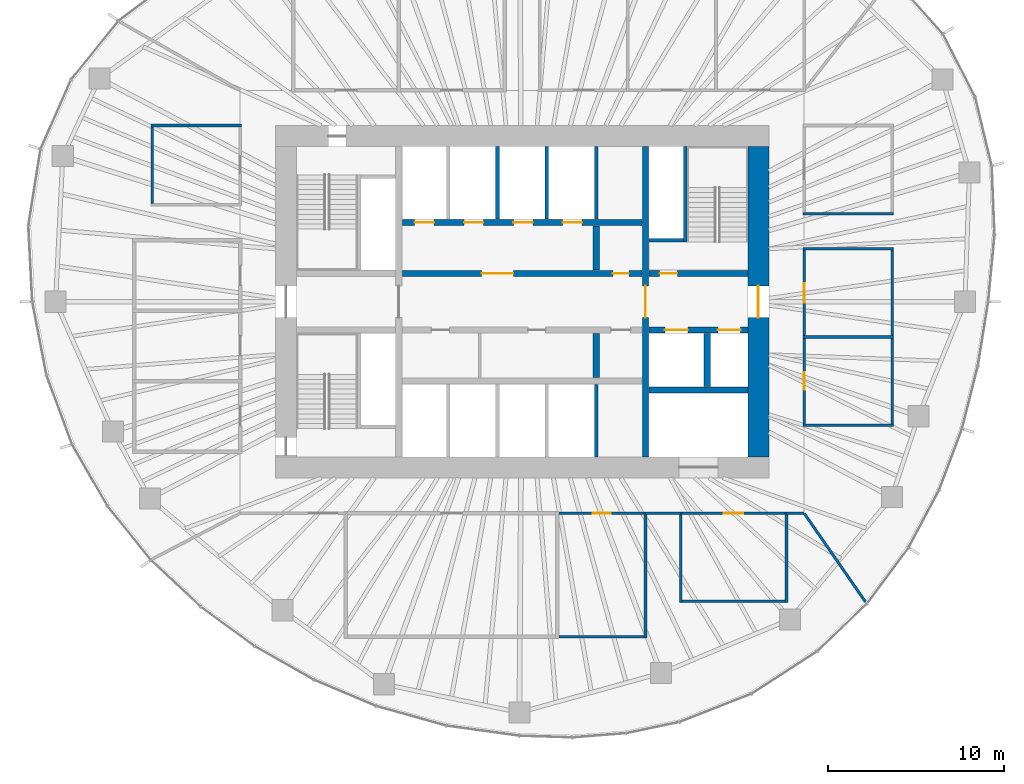
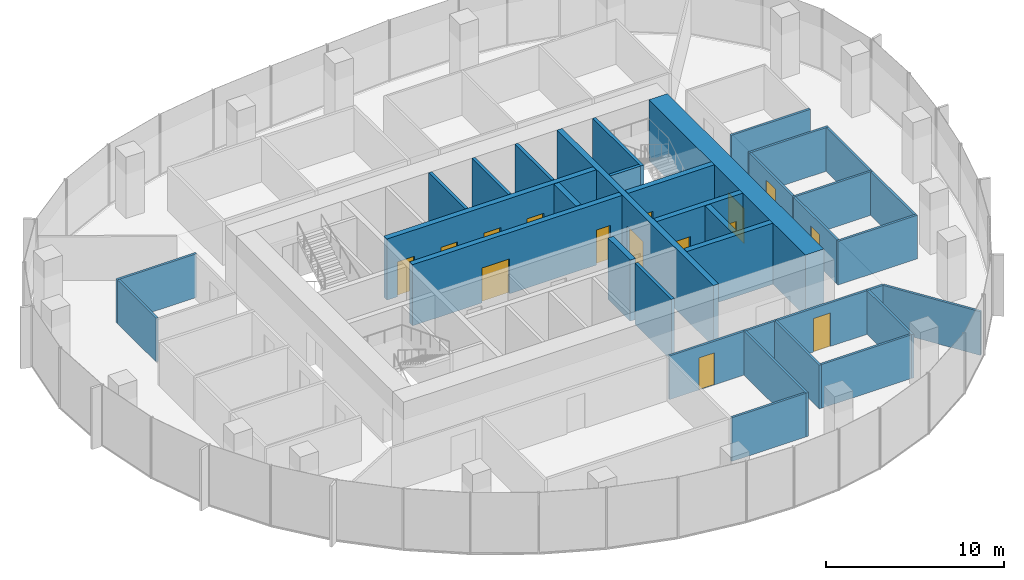
# One storey, part 9 of 11: 36 walls, 15 doors, 15 openings.
"""IFC4 building model written with IfcOpenShell, lengths in metres."""

from ifc_helpers import new_model, si_unit, direction, frame, frame_2d, origin, place, context, subcontext, project, spatial, rectangle, extrude, material, layer, layer_set, type_object, element, fill, save


model = new_model("IFC4")

# Units and contexts
model_context = context("Model", 3, precision=1e-05, world=origin(), true_north=direction((0.0, 1.0)))
body_context = subcontext(model_context, "Body", "Model", "MODEL_VIEW")
ifc_project = project(units=[si_unit("LENGTHUNIT", "METRE"), si_unit("AREAUNIT", "SQUARE_METRE"), si_unit("VOLUMEUNIT", "CUBIC_METRE"), si_unit("PLANEANGLEUNIT", "RADIAN"), si_unit("MASSUNIT", "GRAM", prefix="KILO")], contexts=[model_context])

# Site, building, storey
site_placement = place(None, origin())
site = spatial("IfcSite", under=ifc_project, at=site_placement, CompositionType="ELEMENT")
building_placement = place(site_placement, origin())
building = spatial("IfcBuilding", under=site, at=building_placement, Name="Ghaith Harvest Tower", CompositionType="ELEMENT")
storey_placement = place(building_placement, frame((0.0, 0.0, 241.0)))
storey = spatial("IfcBuildingStorey", under=building, at=storey_placement, Name="L53", CompositionType="ELEMENT", Elevation=241.0)

# Wall, opening, door
ifc_material_1 = material(Name="Concrete C60/75", Category="concrete")
ifc_layer_1 = layer(ifc_material_1, 1.199951171875)
ifc_layer_set_1 = layer_set([ifc_layer_1], Name="CORE WALL CW1200 C60")
wall_type_1 = type_object("IfcWallType", Name="CORE WALL CW1200 C60", PredefinedType="SHEAR", material=ifc_layer_set_1)
wall_1_placement = place(storey_placement, frame((13.39990234375, -8.800048828125, 0.0), z_axis=(0.0, 0.0, 1.0), x_axis=(0.0, 1.0, 0.0)))
wall_1 = element("IfcWall", 1, at=wall_1_placement, inside=storey, type_object=wall_type_1, Name="Core wall E L53", PredefinedType="SHEAR", context=body_context, shape_type="SweptSolid", body=[
    extrude(rectangle(XDim=17.60009765625, YDim=1.199951171875, at=frame_2d((8.800048828125, 0.0))), origin(), (0.0, 0.0, 1.0), 4.199951171875),
])
opening_1_placement = place(wall_1_placement, frame((7.89990234375, 0.0, 0.0)))
opening_1 = element("IfcOpeningElement", 2, at=opening_1_placement, cuts=wall_1, Name="Opening 53-002", PredefinedType="OPENING", context=body_context, shape_type="SweptSolid", body=[
    extrude(rectangle(XDim=1.800048828125, YDim=2.39990234375, at=frame_2d((0.89990234375, 1.199951171875))), frame((0.0, 0.60986328125, 0.0), z_axis=(0.0, -1.0, 0.0), x_axis=(1.0, 0.0, 0.0)), (0.0, 0.0, 1.0), 1.219970703125),
])
ifc_material_2 = material(Name="Steel fire door", Category="steel")
door_type_1 = type_object("IfcDoorType", Name="D4 FD90 PAIR 1800x2400", OperationType="DOUBLE_DOOR_SINGLE_SWING", PredefinedType="DOOR", material=ifc_material_2)
door_1_placement = place(opening_1_placement, origin())
door_1 = element("IfcDoor", 3, at=door_1_placement, inside=storey, type_object=door_type_1, Name="Fire-fighting lobby doors", OperationType="DOUBLE_DOOR_SINGLE_SWING", OverallHeight=2.39990234375, OverallWidth=1.800048828125, PredefinedType="DOOR", context=body_context, shape_type="SweptSolid", body=[
    extrude(rectangle(XDim=1.800048828125, YDim=2.39990234375, at=frame_2d((0.89990234375, 1.199951171875))), frame((0.0, 0.02490234375, 0.0), z_axis=(0.0, -1.0, 0.0), x_axis=(1.0, 0.0, 0.0)), (0.0, 0.0, 1.0), 0.050048828125),
])
fill(opening_1, door_1)

# Walls
ifc_material_3 = material(Name="Concrete blockwork, 2-hour", Category="masonry")
ifc_layer_2 = layer(ifc_material_3, 0.199951171875)
ifc_layer_set_2 = layer_set([ifc_layer_2], Name="LIFT SHAFT WALL 200")
wall_type_2 = type_object("IfcWallType", Name="LIFT SHAFT WALL 200", PredefinedType="PARTITIONING", material=ifc_layer_set_2)
for number, where, z_axis, x_axis, name in (
    (4, (-1.39990234375, 4.699951171875, 0.0), (0.0, 0.0, 1.0), (0.0, 1.0, 0.0), "Lift shaft wall L53"),
    (5, (1.39990234375, 4.699951171875, 0.0), (0.0, 0.0, 1.0), (0.0, 1.0, 0.0), "Lift shaft wall L53"),
    (6, (4.199951171875, 4.699951171875, 0.0), (0.0, 0.0, 1.0), (0.0, 1.0, 0.0), "Lift shaft wall L53"),
    (7, (4.199951171875, -4.699951171875, 0.0), (0.0, 0.0, 1.0), (0.0, -1.0, 0.0), "Lift shaft wall L53"),
):
    element("IfcWall", number, at=place(storey_placement, frame(where, z_axis=z_axis, x_axis=x_axis)), inside=storey, type_object=wall_type_2, Name=name, PredefinedType="PARTITIONING", context=body_context, shape_type="SweptSolid", body=[
        extrude(rectangle(XDim=4.10009765625, YDim=0.199951171875, at=frame_2d((2.050048828125, 0.0))), origin(), (0.0, 0.0, 1.0), 4.199951171875),
    ])
ifc_material_4 = material(Name="Gypsum board on steel studs", Category="steel")
ifc_layer_3 = layer(ifc_material_4, 0.14990234375)
ifc_layer_set_3 = layer_set([ifc_layer_3], Name="PARTITION 150")
wall_type_3 = type_object("IfcWallType", Name="PARTITION 150", PredefinedType="PARTITIONING", material=ifc_layer_set_3)
wall_2_placement = place(storey_placement, frame((7.0, -11.925048828125, 0.0), z_axis=(0.0, 0.0, 1.0), x_axis=(0.0, -1.0, 0.0)))
element("IfcWall", 8, at=wall_2_placement, inside=storey, type_object=wall_type_3, Name="Partition L53 row S1 cross wall 3", PredefinedType="PARTITIONING", context=body_context, shape_type="SweptSolid", body=[
    extrude(rectangle(XDim=7.14990234375, YDim=0.14990234375, at=frame_2d((3.574951171875, 0.0))), origin(), (0.0, 0.0, 1.0), 3.0),
])

# Wall, opening, door
wall_3_placement = place(storey_placement, frame((2.10009765625, -12.0, 0.0), z_axis=(0.0, 0.0, 1.0), x_axis=(1.0, 0.0, 0.0)))
wall_3 = element("IfcWall", 9, at=wall_3_placement, inside=storey, type_object=wall_type_3, Name="Partition L53-02", PredefinedType="PARTITIONING", context=body_context, shape_type="SweptSolid", body=[
    extrude(rectangle(XDim=4.824951171875, YDim=0.14990234375, at=frame_2d((2.41259765625, 0.0))), origin(), (0.0, 0.0, 1.0), 3.0),
])
opening_2_placement = place(wall_3_placement, frame((1.91259765625, 0.0, 0.0)))
opening_2 = element("IfcOpeningElement", 10, at=opening_2_placement, cuts=wall_3, Name="Opening 53-021", PredefinedType="OPENING", context=body_context, shape_type="SweptSolid", body=[
    extrude(rectangle(XDim=1.0, YDim=2.199951171875, at=frame_2d((0.5, 1.10009765625))), frame((0.0, 0.0849609375, 0.0), z_axis=(0.0, -1.0, 0.0), x_axis=(1.0, 0.0, 0.0)), (0.0, 0.0, 1.0), 0.169921875),
])
ifc_material_5 = material(Name="Timber door", Category="wood")
door_type_2 = type_object("IfcDoorType", Name="D1 SINGLE 1000x2200", OperationType="SINGLE_SWING_LEFT", PredefinedType="DOOR", material=ifc_material_5)
door_2_placement = place(opening_2_placement, origin())
door_2 = element("IfcDoor", 11, at=door_2_placement, inside=storey, type_object=door_type_2, Name="Store door", OperationType="SINGLE_SWING_LEFT", OverallHeight=2.199951171875, OverallWidth=1.0, PredefinedType="DOOR", context=body_context, shape_type="SweptSolid", body=[
    extrude(rectangle(XDim=1.0, YDim=2.199951171875, at=frame_2d((0.5, 1.10009765625))), frame((0.0, 0.02490234375, 0.0), z_axis=(0.0, -1.0, 0.0), x_axis=(1.0, 0.0, 0.0)), (0.0, 0.0, 1.0), 0.050048828125),
])
fill(opening_2, door_2)

# Walls
wall_4_placement = place(storey_placement, frame((2.10009765625, -19.0, 0.0), z_axis=(0.0, 0.0, 1.0), x_axis=(1.0, 0.0, 0.0)))
element("IfcWall", 12, at=wall_4_placement, inside=storey, type_object=wall_type_3, Name="Partition L53-02", PredefinedType="PARTITIONING", context=body_context, shape_type="SweptSolid", body=[
    extrude(rectangle(XDim=4.824951171875, YDim=0.14990234375, at=frame_2d((2.41259765625, 0.0))), origin(), (0.0, 0.0, 1.0), 3.0),
])
for number, where, z_axis, x_axis, name in (
    (13, (15.925048828125, -7.0, 0.0), (0.0, 0.0, 1.0), (1.0, 0.0, 0.0), "Partition L53 row E5 cross wall 1"),
    (14, (15.925048828125, -2.0, 0.0), (0.0, 0.0, 1.0), (1.0, 0.0, 0.0), "Partition L53 row E5 cross wall 2"),
    (15, (15.925048828125, 3.0, 0.0), (0.0, 0.0, 1.0), (1.0, 0.0, 0.0), "Partition L53 row E5 cross wall 3"),
):
    element("IfcWall", number, at=place(storey_placement, frame(where, z_axis=z_axis, x_axis=x_axis)), inside=storey, type_object=wall_type_3, Name=name, PredefinedType="PARTITIONING", context=body_context, shape_type="SweptSolid", body=[
        extrude(rectangle(XDim=5.14990234375, YDim=0.14990234375, at=frame_2d((2.574951171875, 0.0))), origin(), (0.0, 0.0, 1.0), 3.0),
    ])

# Wall, opening, door
wall_5_placement = place(storey_placement, frame((16.0, -6.925048828125, 0.0), z_axis=(0.0, 0.0, 1.0), x_axis=(0.0, 1.0, 0.0)))
wall_5 = element("IfcWall", 16, at=wall_5_placement, inside=storey, type_object=wall_type_3, Name="Partition L53-11", PredefinedType="PARTITIONING", context=body_context, shape_type="SweptSolid", body=[
    extrude(rectangle(XDim=4.85009765625, YDim=0.14990234375, at=frame_2d((2.425048828125, 0.0))), origin(), (0.0, 0.0, 1.0), 3.0),
])
opening_3_placement = place(wall_5_placement, frame((1.925048828125, 0.0, 0.0)))
opening_3 = element("IfcOpeningElement", 17, at=opening_3_placement, cuts=wall_5, Name="Opening 53-030", PredefinedType="OPENING", context=body_context, shape_type="SweptSolid", body=[
    extrude(rectangle(XDim=1.0, YDim=2.199951171875, at=frame_2d((0.5, 1.10009765625))), frame((0.0, 0.0849609375, 0.0), z_axis=(0.0, -1.0, 0.0), x_axis=(1.0, 0.0, 0.0)), (0.0, 0.0, 1.0), 0.169921875),
])
door_3_placement = place(opening_3_placement, origin())
door_3 = element("IfcDoor", 18, at=door_3_placement, inside=storey, type_object=door_type_2, Name="Pantry door", OperationType="SINGLE_SWING_LEFT", OverallHeight=2.199951171875, OverallWidth=1.0, PredefinedType="DOOR", context=body_context, shape_type="SweptSolid", body=[
    extrude(rectangle(XDim=1.0, YDim=2.199951171875, at=frame_2d((0.5, 1.10009765625))), frame((0.0, 0.02490234375, 0.0), z_axis=(0.0, -1.0, 0.0), x_axis=(1.0, 0.0, 0.0)), (0.0, 0.0, 1.0), 0.050048828125),
])
fill(opening_3, door_3)

# Wall
wall_6_placement = place(storey_placement, frame((21.0, -6.925048828125, 0.0), z_axis=(0.0, 0.0, 1.0), x_axis=(0.0, 1.0, 0.0)))
element("IfcWall", 19, at=wall_6_placement, inside=storey, type_object=wall_type_3, Name="Partition L53-11", PredefinedType="PARTITIONING", context=body_context, shape_type="SweptSolid", body=[
    extrude(rectangle(XDim=4.85009765625, YDim=0.14990234375, at=frame_2d((2.425048828125, 0.0))), origin(), (0.0, 0.0, 1.0), 3.0),
])

# Wall, opening, door
wall_7_placement = place(storey_placement, frame((16.0, -1.925048828125, 0.0), z_axis=(0.0, 0.0, 1.0), x_axis=(0.0, 1.0, 0.0)))
wall_7 = element("IfcWall", 20, at=wall_7_placement, inside=storey, type_object=wall_type_3, Name="Partition L53-12", PredefinedType="PARTITIONING", context=body_context, shape_type="SweptSolid", body=[
    extrude(rectangle(XDim=4.85009765625, YDim=0.14990234375, at=frame_2d((2.425048828125, 0.0))), origin(), (0.0, 0.0, 1.0), 3.0),
])
opening_4_placement = place(wall_7_placement, frame((1.875, 0.0, 0.0)))
opening_4 = element("IfcOpeningElement", 21, at=opening_4_placement, cuts=wall_7, Name="Opening 53-031", PredefinedType="OPENING", context=body_context, shape_type="SweptSolid", body=[
    extrude(rectangle(XDim=1.10009765625, YDim=2.300048828125, at=frame_2d((0.550048828125, 1.14990234375))), frame((0.0, 0.0849609375, 0.0), z_axis=(0.0, -1.0, 0.0), x_axis=(1.0, 0.0, 0.0)), (0.0, 0.0, 1.0), 0.169921875),
])
ifc_material_6 = material(Name="Timber-framed glazed door", Category="wood")
door_type_3 = type_object("IfcDoorType", Name="D12 GLAZED OFFICE 1100x2300", OperationType="SINGLE_SWING_LEFT", PredefinedType="DOOR", material=ifc_material_6)
door_4_placement = place(opening_4_placement, origin())
door_4 = element("IfcDoor", 22, at=door_4_placement, inside=storey, type_object=door_type_3, Name="Office door", OperationType="SINGLE_SWING_LEFT", OverallHeight=2.300048828125, OverallWidth=1.10009765625, PredefinedType="DOOR", context=body_context, shape_type="SweptSolid", body=[
    extrude(rectangle(XDim=1.10009765625, YDim=2.300048828125, at=frame_2d((0.550048828125, 1.14990234375))), frame((0.0, 0.02490234375, 0.0), z_axis=(0.0, -1.0, 0.0), x_axis=(1.0, 0.0, 0.0)), (0.0, 0.0, 1.0), 0.050048828125),
])
fill(opening_4, door_4)

# Walls
wall_8_placement = place(storey_placement, frame((21.0, -1.925048828125, 0.0), z_axis=(0.0, 0.0, 1.0), x_axis=(0.0, 1.0, 0.0)))
element("IfcWall", 23, at=wall_8_placement, inside=storey, type_object=wall_type_3, Name="Partition L53-12", PredefinedType="PARTITIONING", context=body_context, shape_type="SweptSolid", body=[
    extrude(rectangle(XDim=4.85009765625, YDim=0.14990234375, at=frame_2d((2.425048828125, 0.0))), origin(), (0.0, 0.0, 1.0), 3.0),
])
for number, where, z_axis, x_axis, name in (
    (24, (9.0, -11.925048828125, 0.0), (0.0, 0.0, 1.0), (0.0, -1.0, 0.0), "Partition L53 row S6 cross wall 1"),
    (25, (15.0, -11.925048828125, 0.0), (0.0, 0.0, 1.0), (0.0, -1.0, 0.0), "Partition L53 row S6 cross wall 2"),
):
    element("IfcWall", number, at=place(storey_placement, frame(where, z_axis=z_axis, x_axis=x_axis)), inside=storey, type_object=wall_type_3, Name=name, PredefinedType="PARTITIONING", context=body_context, shape_type="SweptSolid", body=[
        extrude(rectangle(XDim=5.14990234375, YDim=0.14990234375, at=frame_2d((2.574951171875, 0.0))), origin(), (0.0, 0.0, 1.0), 3.0),
    ])

# Wall, opening, door
wall_9_placement = place(storey_placement, frame((9.074951171875, -12.0, 0.0), z_axis=(0.0, 0.0, 1.0), x_axis=(1.0, 0.0, 0.0)))
wall_9 = element("IfcWall", 26, at=wall_9_placement, inside=storey, type_object=wall_type_3, Name="Partition L53-13", PredefinedType="PARTITIONING", context=body_context, shape_type="SweptSolid", body=[
    extrude(rectangle(XDim=5.85009765625, YDim=0.14990234375, at=frame_2d((2.925048828125, 0.0))), origin(), (0.0, 0.0, 1.0), 3.0),
])
opening_5_placement = place(wall_9_placement, frame((2.375, 0.0, 0.0)))
opening_5 = element("IfcOpeningElement", 27, at=opening_5_placement, cuts=wall_9, Name="Opening 53-032", PredefinedType="OPENING", context=body_context, shape_type="SweptSolid", body=[
    extrude(rectangle(XDim=1.10009765625, YDim=2.300048828125, at=frame_2d((0.550048828125, 1.14990234375))), frame((0.0, 0.0849609375, 0.0), z_axis=(0.0, -1.0, 0.0), x_axis=(1.0, 0.0, 0.0)), (0.0, 0.0, 1.0), 0.169921875),
])
door_5_placement = place(opening_5_placement, origin())
door_5 = element("IfcDoor", 28, at=door_5_placement, inside=storey, type_object=door_type_3, Name="Office door", OperationType="SINGLE_SWING_LEFT", OverallHeight=2.300048828125, OverallWidth=1.10009765625, PredefinedType="DOOR", context=body_context, shape_type="SweptSolid", body=[
    extrude(rectangle(XDim=1.10009765625, YDim=2.300048828125, at=frame_2d((0.550048828125, 1.14990234375))), frame((0.0, 0.02490234375, 0.0), z_axis=(0.0, -1.0, 0.0), x_axis=(1.0, 0.0, 0.0)), (0.0, 0.0, 1.0), 0.050048828125),
])
fill(opening_5, door_5)

# Walls
wall_10_placement = place(storey_placement, frame((9.074951171875, -17.0, 0.0), z_axis=(0.0, 0.0, 1.0), x_axis=(1.0, 0.0, 0.0)))
element("IfcWall", 29, at=wall_10_placement, inside=storey, type_object=wall_type_3, Name="Partition L53-13", PredefinedType="PARTITIONING", context=body_context, shape_type="SweptSolid", body=[
    extrude(rectangle(XDim=5.85009765625, YDim=0.14990234375, at=frame_2d((2.925048828125, 0.0))), origin(), (0.0, 0.0, 1.0), 3.0),
])
for number, where, z_axis, x_axis, name in (
    (30, (15.925048828125, 5.0, 0.0), (0.0, 0.0, 1.0), (1.0, 0.0, 0.0), "Partition L53 row E7 cross wall 1"),
    (31, (-15.925048828125, 10.0, 0.0), (0.0, 0.0, 1.0), (-1.0, 0.0, 0.0), "Partition L53 row W8 cross wall 2"),
):
    element("IfcWall", number, at=place(storey_placement, frame(where, z_axis=z_axis, x_axis=x_axis)), inside=storey, type_object=wall_type_3, Name=name, PredefinedType="PARTITIONING", context=body_context, shape_type="SweptSolid", body=[
        extrude(rectangle(XDim=5.14990234375, YDim=0.14990234375, at=frame_2d((2.574951171875, 0.0))), origin(), (0.0, 0.0, 1.0), 3.0),
    ])
wall_11_placement = place(storey_placement, frame((-21.0, 5.574951171875, 0.0), z_axis=(0.0, 0.0, 1.0), x_axis=(0.0, 1.0, 0.0)))
element("IfcWall", 32, at=wall_11_placement, inside=storey, type_object=wall_type_3, Name="Partition L53-15", PredefinedType="PARTITIONING", context=body_context, shape_type="SweptSolid", body=[
    extrude(rectangle(XDim=4.35009765625, YDim=0.14990234375, at=frame_2d((2.175048828125, 0.0))), origin(), (0.0, 0.0, 1.0), 3.0),
])
wall_12_placement = place(storey_placement, frame((16.011474609375, -12.016357421875, 0.0), z_axis=(0.0, 0.0, 1.0), x_axis=(0.568863489071, -0.822431961199, 0.0)))
element("IfcWall", 33, at=wall_12_placement, inside=storey, type_object=wall_type_3, Name="Partition L53 zone division", PredefinedType="PARTITIONING", context=body_context, shape_type="SweptSolid", body=[
    extrude(rectangle(XDim=6.0830078125, YDim=0.14990234375, at=frame_2d((3.04150390625, 0.0))), origin(), (0.0, 0.0, 1.0), 3.0),
])
wall_13_placement = place(storey_placement, frame((7.0, -12.0, 0.0), z_axis=(0.0, 0.0, 1.0), x_axis=(1.0, 0.0, 0.0)))
element("IfcWall", 34, at=wall_13_placement, inside=storey, type_object=wall_type_3, Name="Partition L53 zone enclosure", PredefinedType="PARTITIONING", context=body_context, shape_type="SweptSolid", body=[
    extrude(rectangle(XDim=2.0, YDim=0.14990234375, at=frame_2d((1.0, 0.0))), origin(), (0.0, 0.0, 1.0), 3.0),
])
wall_14_placement = place(storey_placement, frame((15.0, -12.0, 0.0), z_axis=(0.0, 0.0, 1.0), x_axis=(1.0, 0.0, 0.0)))
element("IfcWall", 35, at=wall_14_placement, inside=storey, type_object=wall_type_3, Name="Partition L53 zone enclosure", PredefinedType="PARTITIONING", context=body_context, shape_type="SweptSolid", body=[
    extrude(rectangle(XDim=1.0, YDim=0.14990234375, at=frame_2d((0.5, 0.0))), origin(), (0.0, 0.0, 1.0), 3.0),
])

# Wall, opening, door
ifc_material_7 = material(Name="Concrete C60/75", Category="concrete")
ifc_layer_4 = layer(ifc_material_7, 0.35009765625)
ifc_layer_set_4 = layer_set([ifc_layer_4], Name="SHAFT WALL 350")
wall_type_4 = type_object("IfcWallType", Name="SHAFT WALL 350", PredefinedType="SHEAR", material=ifc_layer_set_4)
wall_15_placement = place(storey_placement, frame((7.0, -8.800048828125, 0.0), z_axis=(0.0, 0.0, 1.0), x_axis=(0.0, 1.0, 0.0)))
wall_15 = element("IfcWall", 36, at=wall_15_placement, inside=storey, type_object=wall_type_4, Name="Shaft wall W7E L53", PredefinedType="SHEAR", context=body_context, shape_type="SweptSolid", body=[
    extrude(rectangle(XDim=17.60009765625, YDim=0.35009765625, at=frame_2d((8.800048828125, 0.0))), origin(), (0.0, 0.0, 1.0), 4.199951171875),
])
opening_6_placement = place(wall_15_placement, frame((7.89990234375, 0.0, 0.0)))
opening_6 = element("IfcOpeningElement", 37, at=opening_6_placement, cuts=wall_15, Name="Opening 53-004", PredefinedType="OPENING", context=body_context, shape_type="SweptSolid", body=[
    extrude(rectangle(XDim=1.800048828125, YDim=2.39990234375, at=frame_2d((0.89990234375, 1.199951171875))), frame((0.0, 0.18505859375, 0.0), z_axis=(0.0, -1.0, 0.0), x_axis=(1.0, 0.0, 0.0)), (0.0, 0.0, 1.0), 0.3701171875),
])
door_6_placement = place(opening_6_placement, origin())
door_6 = element("IfcDoor", 38, at=door_6_placement, inside=storey, type_object=door_type_1, Name="Lift lobby doors, east", OperationType="DOUBLE_DOOR_SINGLE_SWING", OverallHeight=2.39990234375, OverallWidth=1.800048828125, PredefinedType="DOOR", context=body_context, shape_type="SweptSolid", body=[
    extrude(rectangle(XDim=1.800048828125, YDim=2.39990234375, at=frame_2d((0.89990234375, 1.199951171875))), frame((0.0, 0.02490234375, 0.0), z_axis=(0.0, -1.0, 0.0), x_axis=(1.0, 0.0, 0.0)), (0.0, 0.0, 1.0), 0.050048828125),
])
fill(opening_6, door_6)

# Wall, openings, doors
wall_16_placement = place(storey_placement, frame((-6.800048828125, 1.60009765625, 0.0), z_axis=(0.0, 0.0, 1.0), x_axis=(1.0, 0.0, 0.0)))
wall_16 = element("IfcWall", 39, at=wall_16_placement, inside=storey, type_object=wall_type_4, Name="Shaft wall LN L53", PredefinedType="SHEAR", context=body_context, shape_type="SweptSolid", body=[
    extrude(rectangle(XDim=13.60009765625, YDim=0.35009765625, at=frame_2d((6.800048828125, 0.0))), origin(), (0.0, 0.0, 1.0), 4.199951171875),
])
opening_7_placement = place(wall_16_placement, frame((11.949951171875, 0.0, 0.0)))
opening_7 = element("IfcOpeningElement", 40, at=opening_7_placement, cuts=wall_16, Name="Opening 53-010", PredefinedType="OPENING", context=body_context, shape_type="SweptSolid", body=[
    extrude(rectangle(XDim=0.89990234375, YDim=2.39990234375, at=frame_2d((0.449951171875, 1.199951171875))), frame((0.0, 0.18505859375, 0.0), z_axis=(0.0, -1.0, 0.0), x_axis=(1.0, 0.0, 0.0)), (0.0, 0.0, 1.0), 0.3701171875),
])
opening_8_placement = place(wall_16_placement, frame((4.5, 0.0, 0.0)))
opening_8 = element("IfcOpeningElement", 41, at=opening_8_placement, cuts=wall_16, Name="Opening 53-012", PredefinedType="OPENING", context=body_context, shape_type="SweptSolid", body=[
    extrude(rectangle(XDim=1.800048828125, YDim=2.39990234375, at=frame_2d((0.89990234375, 1.199951171875))), frame((0.0, 0.18505859375, 0.0), z_axis=(0.0, -1.0, 0.0), x_axis=(1.0, 0.0, 0.0)), (0.0, 0.0, 1.0), 0.3701171875),
])
door_7_placement = place(opening_8_placement, origin())
door_7 = element("IfcDoor", 42, at=door_7_placement, inside=storey, type_object=door_type_1, Name="Lift lobby doors, high-rise bank", OperationType="DOUBLE_DOOR_SINGLE_SWING", OverallHeight=2.39990234375, OverallWidth=1.800048828125, PredefinedType="DOOR", context=body_context, shape_type="SweptSolid", body=[
    extrude(rectangle(XDim=1.800048828125, YDim=2.39990234375, at=frame_2d((0.89990234375, 1.199951171875))), frame((0.0, 0.02490234375, 0.0), z_axis=(0.0, -1.0, 0.0), x_axis=(1.0, 0.0, 0.0)), (0.0, 0.0, 1.0), 0.050048828125),
])
fill(opening_8, door_7)
ifc_material_8 = material(Name="Steel fire door", Category="steel")
door_type_4 = type_object("IfcDoorType", Name="D5 FD90 900x2400", OperationType="SINGLE_SWING_LEFT", PredefinedType="DOOR", material=ifc_material_8)
door_8_placement = place(opening_7_placement, origin())
door_8 = element("IfcDoor", 43, at=door_8_placement, inside=storey, type_object=door_type_4, Name="Cleaner's store door", OperationType="SINGLE_SWING_RIGHT", OverallHeight=2.39990234375, OverallWidth=0.89990234375, PredefinedType="DOOR", context=body_context, shape_type="SweptSolid", body=[
    extrude(rectangle(XDim=0.89990234375, YDim=2.39990234375, at=frame_2d((0.449951171875, 1.199951171875))), frame((0.0, 0.02490234375, 0.0), z_axis=(0.0, -1.0, 0.0), x_axis=(1.0, 0.0, 0.0)), (0.0, 0.0, 1.0), 0.050048828125),
])
fill(opening_7, door_8)

wall_17_placement = place(storey_placement, frame((-6.800048828125, 4.5, 0.0), z_axis=(0.0, 0.0, 1.0), x_axis=(1.0, 0.0, 0.0)))
wall_17 = element("IfcWall", 44, at=wall_17_placement, inside=storey, type_object=wall_type_4, Name="Shaft wall BN L53", PredefinedType="SHEAR", context=body_context, shape_type="SweptSolid", body=[
    extrude(rectangle(XDim=13.60009765625, YDim=0.35009765625, at=frame_2d((6.800048828125, 0.0))), origin(), (0.0, 0.0, 1.0), 4.199951171875),
])
opening_9_placement = place(wall_17_placement, frame((0.699951171875, 0.0, 0.0)))
opening_9 = element("IfcOpeningElement", 45, at=opening_9_placement, cuts=wall_17, Name="Opening 53-013", PredefinedType="OPENING", context=body_context, shape_type="SweptSolid", body=[
    extrude(rectangle(XDim=1.10009765625, YDim=2.39990234375, at=frame_2d((0.550048828125, 1.199951171875))), frame((0.0, 0.18505859375, 0.0), z_axis=(0.0, -1.0, 0.0), x_axis=(1.0, 0.0, 0.0)), (0.0, 0.0, 1.0), 0.3701171875),
])
opening_10_placement = place(wall_17_placement, frame((3.5, 0.0, 0.0)))
opening_10 = element("IfcOpeningElement", 46, at=opening_10_placement, cuts=wall_17, Name="Opening 53-014", PredefinedType="OPENING", context=body_context, shape_type="SweptSolid", body=[
    extrude(rectangle(XDim=1.10009765625, YDim=2.39990234375, at=frame_2d((0.550048828125, 1.199951171875))), frame((0.0, 0.18505859375, 0.0), z_axis=(0.0, -1.0, 0.0), x_axis=(1.0, 0.0, 0.0)), (0.0, 0.0, 1.0), 0.3701171875),
])
opening_11_placement = place(wall_17_placement, frame((6.300048828125, 0.0, 0.0)))
opening_11 = element("IfcOpeningElement", 47, at=opening_11_placement, cuts=wall_17, Name="Opening 53-015", PredefinedType="OPENING", context=body_context, shape_type="SweptSolid", body=[
    extrude(rectangle(XDim=1.10009765625, YDim=2.39990234375, at=frame_2d((0.550048828125, 1.199951171875))), frame((0.0, 0.18505859375, 0.0), z_axis=(0.0, -1.0, 0.0), x_axis=(1.0, 0.0, 0.0)), (0.0, 0.0, 1.0), 0.3701171875),
])
opening_12_placement = place(wall_17_placement, frame((9.10009765625, 0.0, 0.0)))
opening_12 = element("IfcOpeningElement", 48, at=opening_12_placement, cuts=wall_17, Name="Opening 53-016", PredefinedType="OPENING", context=body_context, shape_type="SweptSolid", body=[
    extrude(rectangle(XDim=1.10009765625, YDim=2.39990234375, at=frame_2d((0.550048828125, 1.199951171875))), frame((0.0, 0.18505859375, 0.0), z_axis=(0.0, -1.0, 0.0), x_axis=(1.0, 0.0, 0.0)), (0.0, 0.0, 1.0), 0.3701171875),
])
ifc_material_9 = material(Name="Steel fire door", Category="steel")
door_type_5 = type_object("IfcDoorType", Name="LD1 LANDING 1100x2400", OperationType="DOUBLE_DOOR_SLIDING", PredefinedType="DOOR", material=ifc_material_9)
door_9_placement = place(opening_9_placement, origin())
door_9 = element("IfcDoor", 49, at=door_9_placement, inside=storey, type_object=door_type_5, Name="Landing door, lift HR1", OperationType="DOUBLE_DOOR_SLIDING", OverallHeight=2.39990234375, OverallWidth=1.10009765625, PredefinedType="DOOR", context=body_context, shape_type="SweptSolid", body=[
    extrude(rectangle(XDim=1.10009765625, YDim=2.39990234375, at=frame_2d((0.550048828125, 1.199951171875))), frame((0.0, 0.02490234375, 0.0), z_axis=(0.0, -1.0, 0.0), x_axis=(1.0, 0.0, 0.0)), (0.0, 0.0, 1.0), 0.050048828125),
])
fill(opening_9, door_9)
door_10_placement = place(opening_10_placement, origin())
door_10 = element("IfcDoor", 50, at=door_10_placement, inside=storey, type_object=door_type_5, Name="Landing door, lift HR2", OperationType="DOUBLE_DOOR_SLIDING", OverallHeight=2.39990234375, OverallWidth=1.10009765625, PredefinedType="DOOR", context=body_context, shape_type="SweptSolid", body=[
    extrude(rectangle(XDim=1.10009765625, YDim=2.39990234375, at=frame_2d((0.550048828125, 1.199951171875))), frame((0.0, 0.02490234375, 0.0), z_axis=(0.0, -1.0, 0.0), x_axis=(1.0, 0.0, 0.0)), (0.0, 0.0, 1.0), 0.050048828125),
])
fill(opening_10, door_10)
door_11_placement = place(opening_11_placement, origin())
door_11 = element("IfcDoor", 51, at=door_11_placement, inside=storey, type_object=door_type_5, Name="Landing door, lift HR3", OperationType="DOUBLE_DOOR_SLIDING", OverallHeight=2.39990234375, OverallWidth=1.10009765625, PredefinedType="DOOR", context=body_context, shape_type="SweptSolid", body=[
    extrude(rectangle(XDim=1.10009765625, YDim=2.39990234375, at=frame_2d((0.550048828125, 1.199951171875))), frame((0.0, 0.02490234375, 0.0), z_axis=(0.0, -1.0, 0.0), x_axis=(1.0, 0.0, 0.0)), (0.0, 0.0, 1.0), 0.050048828125),
])
fill(opening_11, door_11)
door_12_placement = place(opening_12_placement, origin())
door_12 = element("IfcDoor", 52, at=door_12_placement, inside=storey, type_object=door_type_5, Name="Landing door, lift HR4", OperationType="DOUBLE_DOOR_SLIDING", OverallHeight=2.39990234375, OverallWidth=1.10009765625, PredefinedType="DOOR", context=body_context, shape_type="SweptSolid", body=[
    extrude(rectangle(XDim=1.10009765625, YDim=2.39990234375, at=frame_2d((0.550048828125, 1.199951171875))), frame((0.0, 0.02490234375, 0.0), z_axis=(0.0, -1.0, 0.0), x_axis=(1.0, 0.0, 0.0)), (0.0, 0.0, 1.0), 0.050048828125),
])
fill(opening_12, door_12)

# Wall, opening, door
wall_18_placement = place(storey_placement, frame((7.199951171875, 1.60009765625, 0.0), z_axis=(0.0, 0.0, 1.0), x_axis=(1.0, 0.0, 0.0)))
wall_18 = element("IfcWall", 53, at=wall_18_placement, inside=storey, type_object=wall_type_4, Name="Shaft wall EN L53", PredefinedType="SHEAR", context=body_context, shape_type="SweptSolid", body=[
    extrude(rectangle(XDim=5.60009765625, YDim=0.35009765625, at=frame_2d((2.800048828125, 0.0))), origin(), (0.0, 0.0, 1.0), 4.199951171875),
])
opening_13_placement = place(wall_18_placement, frame((0.60009765625, 0.0, 0.0)))
opening_13 = element("IfcOpeningElement", 54, at=opening_13_placement, cuts=wall_18, Name="Opening 53-007", PredefinedType="OPENING", context=body_context, shape_type="SweptSolid", body=[
    extrude(rectangle(XDim=1.0, YDim=2.39990234375, at=frame_2d((0.5, 1.199951171875))), frame((0.0, 0.18505859375, 0.0), z_axis=(0.0, -1.0, 0.0), x_axis=(1.0, 0.0, 0.0)), (0.0, 0.0, 1.0), 0.3701171875),
])
ifc_material_10 = material(Name="Steel fire door", Category="steel")
door_type_6 = type_object("IfcDoorType", Name="D3 FD90 1000x2400", OperationType="SINGLE_SWING_LEFT", PredefinedType="DOOR", material=ifc_material_10)
door_13_placement = place(opening_13_placement, origin())
door_13 = element("IfcDoor", 55, at=door_13_placement, inside=storey, type_object=door_type_6, Name="Stair ST2 door", OperationType="SINGLE_SWING_LEFT", OverallHeight=2.39990234375, OverallWidth=1.0, PredefinedType="DOOR", context=body_context, shape_type="SweptSolid", body=[
    extrude(rectangle(XDim=1.0, YDim=2.39990234375, at=frame_2d((0.5, 1.199951171875))), frame((0.0, 0.02490234375, 0.0), z_axis=(0.0, -1.0, 0.0), x_axis=(1.0, 0.0, 0.0)), (0.0, 0.0, 1.0), 0.050048828125),
])
fill(opening_13, door_13)

# Wall, openings, doors
wall_19_placement = place(storey_placement, frame((7.199951171875, -1.60009765625, 0.0), z_axis=(0.0, 0.0, 1.0), x_axis=(1.0, 0.0, 0.0)))
wall_19 = element("IfcWall", 56, at=wall_19_placement, inside=storey, type_object=wall_type_4, Name="Shaft wall ES L53", PredefinedType="SHEAR", context=body_context, shape_type="SweptSolid", body=[
    extrude(rectangle(XDim=5.60009765625, YDim=0.35009765625, at=frame_2d((2.800048828125, 0.0))), origin(), (0.0, 0.0, 1.0), 4.199951171875),
])
opening_14_placement = place(wall_19_placement, frame((0.89990234375, 0.0, 0.0)))
opening_14 = element("IfcOpeningElement", 57, at=opening_14_placement, cuts=wall_19, Name="Opening 53-017", PredefinedType="OPENING", context=body_context, shape_type="SweptSolid", body=[
    extrude(rectangle(XDim=1.300048828125, YDim=2.39990234375, at=frame_2d((0.64990234375, 1.199951171875))), frame((0.0, 0.18505859375, 0.0), z_axis=(0.0, -1.0, 0.0), x_axis=(1.0, 0.0, 0.0)), (0.0, 0.0, 1.0), 0.3701171875),
])
opening_15_placement = place(wall_19_placement, frame((3.89990234375, 0.0, 0.0)))
opening_15 = element("IfcOpeningElement", 58, at=opening_15_placement, cuts=wall_19, Name="Opening 53-018", PredefinedType="OPENING", context=body_context, shape_type="SweptSolid", body=[
    extrude(rectangle(XDim=1.300048828125, YDim=2.39990234375, at=frame_2d((0.64990234375, 1.199951171875))), frame((0.0, 0.18505859375, 0.0), z_axis=(0.0, -1.0, 0.0), x_axis=(1.0, 0.0, 0.0)), (0.0, 0.0, 1.0), 0.3701171875),
])
ifc_material_11 = material(Name="Steel fire door", Category="steel")
door_type_7 = type_object("IfcDoorType", Name="LD2 LANDING 1300x2400", OperationType="DOUBLE_DOOR_SLIDING", PredefinedType="DOOR", material=ifc_material_11)
door_14_placement = place(opening_14_placement, origin())
door_14 = element("IfcDoor", 59, at=door_14_placement, inside=storey, type_object=door_type_7, Name="Landing door, fire service lift FL1", OperationType="DOUBLE_DOOR_SLIDING", OverallHeight=2.39990234375, OverallWidth=1.300048828125, PredefinedType="DOOR", context=body_context, shape_type="SweptSolid", body=[
    extrude(rectangle(XDim=1.300048828125, YDim=2.39990234375, at=frame_2d((0.64990234375, 1.199951171875))), frame((0.0, 0.02490234375, 0.0), z_axis=(0.0, -1.0, 0.0), x_axis=(1.0, 0.0, 0.0)), (0.0, 0.0, 1.0), 0.050048828125),
])
fill(opening_14, door_14)
door_15_placement = place(opening_15_placement, origin())
door_15 = element("IfcDoor", 60, at=door_15_placement, inside=storey, type_object=door_type_7, Name="Landing door, fire service lift FL2", OperationType="DOUBLE_DOOR_SLIDING", OverallHeight=2.39990234375, OverallWidth=1.300048828125, PredefinedType="DOOR", context=body_context, shape_type="SweptSolid", body=[
    extrude(rectangle(XDim=1.300048828125, YDim=2.39990234375, at=frame_2d((0.64990234375, 1.199951171875))), frame((0.0, 0.02490234375, 0.0), z_axis=(0.0, -1.0, 0.0), x_axis=(1.0, 0.0, 0.0)), (0.0, 0.0, 1.0), 0.050048828125),
])
fill(opening_15, door_15)

# Walls
wall_20_placement = place(storey_placement, frame((10.5, -4.800048828125, 0.0), z_axis=(0.0, 0.0, 1.0), x_axis=(0.0, 1.0, 0.0)))
element("IfcWall", 61, at=wall_20_placement, inside=storey, type_object=wall_type_4, Name="Shaft wall FLD L53", PredefinedType="SHEAR", context=body_context, shape_type="SweptSolid", body=[
    extrude(rectangle(XDim=3.0, YDim=0.35009765625, at=frame_2d((1.5, 0.0))), origin(), (0.0, 0.0, 1.0), 4.199951171875),
])
wall_21_placement = place(storey_placement, frame((7.199951171875, -5.0, 0.0), z_axis=(0.0, 0.0, 1.0), x_axis=(1.0, 0.0, 0.0)))
element("IfcWall", 62, at=wall_21_placement, inside=storey, type_object=wall_type_4, Name="Shaft wall FLB L53", PredefinedType="SHEAR", context=body_context, shape_type="SweptSolid", body=[
    extrude(rectangle(XDim=5.60009765625, YDim=0.35009765625, at=frame_2d((2.800048828125, 0.0))), origin(), (0.0, 0.0, 1.0), 4.199951171875),
])
for number, where, z_axis, x_axis, name in (
    (63, (4.199951171875, 1.800048828125, 0.0), (0.0, 0.0, 1.0), (0.0, 1.0, 0.0), "Shaft wall DN4 L53"),
    (64, (4.199951171875, -4.300048828125, 0.0), (0.0, 0.0, 1.0), (0.0, 1.0, 0.0), "Shaft wall DS4 L53"),
):
    element("IfcWall", number, at=place(storey_placement, frame(where, z_axis=z_axis, x_axis=x_axis)), inside=storey, type_object=wall_type_4, Name=name, PredefinedType="SHEAR", context=body_context, shape_type="SweptSolid", body=[
        extrude(rectangle(XDim=2.5, YDim=0.35009765625, at=frame_2d((1.25, 0.0))), origin(), (0.0, 0.0, 1.0), 4.199951171875),
    ])
ifc_material_12 = material(Name="Concrete C40/50", Category="concrete")
ifc_layer_5 = layer(ifc_material_12, 0.199951171875)
ifc_layer_set_5 = layer_set([ifc_layer_5], Name="STAIR SPINE WALL RC200")
wall_type_5 = type_object("IfcWallType", Name="STAIR SPINE WALL RC200", PredefinedType="SOLIDWALL", material=ifc_layer_set_5)
wall_22_placement = place(storey_placement, frame((9.25, 3.39990234375, 0.0), z_axis=(0.0, 0.0, 1.0), x_axis=(0.0, 1.0, 0.0)))
element("IfcWall", 65, at=wall_22_placement, inside=storey, type_object=wall_type_5, Name="Stair ST2 spine wall L53", PredefinedType="SOLIDWALL", context=body_context, shape_type="SweptSolid", body=[
    extrude(rectangle(XDim=5.400146484375, YDim=0.199951171875, at=frame_2d((2.7001953125, 0.0))), origin(), (0.0, 0.0, 1.0), 4.199951171875),
])
wall_23_placement = place(storey_placement, frame((9.14990234375, 3.5, 0.0), z_axis=(0.0, 0.0, 1.0), x_axis=(-1.0, 0.0, 0.0)))
element("IfcWall", 66, at=wall_23_placement, inside=storey, type_object=wall_type_5, Name="Stair ST2 spine wall return L53", PredefinedType="SOLIDWALL", context=body_context, shape_type="SweptSolid", body=[
    extrude(rectangle(XDim=1.949951171875, YDim=0.199951171875, at=frame_2d((0.97509765625, 0.0))), origin(), (0.0, 0.0, 1.0), 4.199951171875),
])

save(model, "model.ifc")
